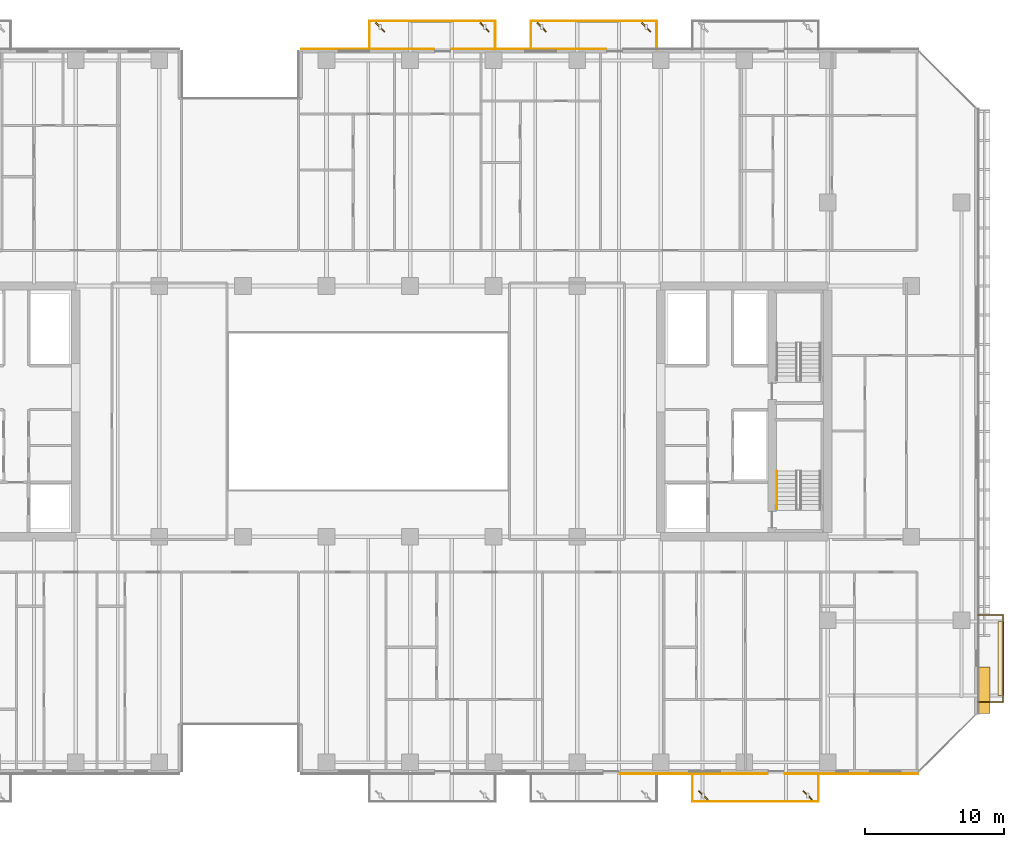
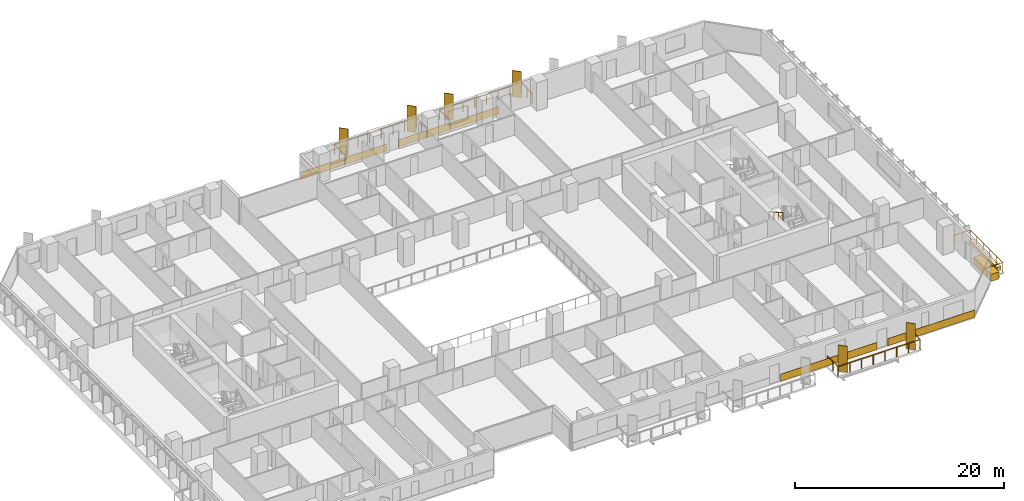
# One storey, part 30 of 33: 6 coverings, 6 shading devices, 5 railings.
"""IFC4 building model written with IfcOpenShell, lengths in metres."""

from ifc_helpers import new_model, si_unit, direction, frame, origin, origin_2d, place, context, subcontext, project, spatial, polyline, rectangle, outline, extrude, material, layer, layer_set, type_object, element, save


model = new_model("IFC4")

# Units and contexts
model_context = context("Model", 3, precision=1e-05, world=origin(), true_north=direction((0.0, 1.0)))
body_context = subcontext(model_context, "Body", "Model", "MODEL_VIEW")
ifc_project = project(units=[si_unit("LENGTHUNIT", "METRE"), si_unit("AREAUNIT", "SQUARE_METRE"), si_unit("VOLUMEUNIT", "CUBIC_METRE"), si_unit("PLANEANGLEUNIT", "RADIAN"), si_unit("MASSUNIT", "GRAM", prefix="KILO")], contexts=[model_context])

# Site, building, storey
site_placement = place(None, origin())
site = spatial("IfcSite", under=ifc_project, at=site_placement, CompositionType="ELEMENT")
building_placement = place(site_placement, origin())
building = spatial("IfcBuilding", under=site, at=building_placement, Name="Tanjung Sevakor Pilgrim Tower", CompositionType="ELEMENT")
storey_placement = place(building_placement, frame((0.0, 0.0, 35.639892578125)))
storey = spatial("IfcBuildingStorey", under=building, at=storey_placement, Name="L09", CompositionType="ELEMENT", Elevation=35.639892578125)

# Coverings
ifc_material_1 = material(Name="Reconstructed Limestone Cladding", Category="masonry")
ifc_layer_1 = layer(ifc_material_1, 0.044921875)
ifc_layer_set_1 = layer_set([ifc_layer_1], Name="COV-CLAD-LIMESTONE")
covering_type_1 = type_object("IfcCoveringType", Name="COV-CLAD-LIMESTONE", PredefinedType="CLADDING", material=ifc_layer_set_1)
covering_1_placement = place(storey_placement, frame((80.375, 7.577392578125, 0.01025390625), z_axis=(0.0, 0.0, 1.0), x_axis=(1.0, 0.0, 0.0)))
element("IfcCovering", 1, at=covering_1_placement, inside=storey, type_object=covering_type_1, Name="L09 Warm Limestone Sill Spandrel EW-L09-MAIN-5-3", PredefinedType="CLADDING", context=body_context, shape_type="SweptSolid", body=[
    extrude(rectangle(XDim=10.6298828125, YDim=0.044921875, at=origin_2d()), origin(), (0.0, 0.0, 1.0), 0.840087890625),
])
covering_2_placement = place(storey_placement, frame((91.7060546875, 7.577392578125, 0.01025390625), z_axis=(0.0, 0.0, 1.0), x_axis=(1.0, 0.0, 0.0)))
element("IfcCovering", 2, at=covering_2_placement, inside=storey, type_object=covering_type_1, Name="L09 Warm Limestone Sill Spandrel EW-L09-MAIN-5-4", PredefinedType="CLADDING", context=body_context, shape_type="SweptSolid", body=[
    extrude(rectangle(XDim=9.592041015625, YDim=0.044921875, at=origin_2d()), origin(), (0.0, 0.0, 1.0), 0.840087890625),
])
covering_3_placement = place(storey_placement, frame((101.22998046875, 13.569091796875, 0.01025390625), z_axis=(0.0, 0.0, 1.0), x_axis=(0.0, 1.0, 0.0)))
element("IfcCovering", 3, at=covering_3_placement, inside=storey, type_object=covering_type_1, Name="L09 Warm Limestone Sill Spandrel EW-L09-MAIN-7-1", PredefinedType="CLADDING", context=body_context, shape_type="SweptSolid", body=[
    extrude(rectangle(XDim=3.342041015625, YDim=0.860107421875, at=origin_2d()), origin(), (0.0, 0.0, 1.0), 0.840087890625),
])
covering_4_placement = place(storey_placement, frame((68.52490234375, 59.62255859375, 0.01025390625), z_axis=(0.0, 0.0, 1.0), x_axis=(-1.0, 0.0, 0.0)))
element("IfcCovering", 4, at=covering_4_placement, inside=storey, type_object=covering_type_1, Name="L09 Warm Limestone Sill Spandrel EW-L09-MAIN-9-3", PredefinedType="CLADDING", context=body_context, shape_type="SweptSolid", body=[
    extrude(rectangle(XDim=11.1298828125, YDim=0.044921875, at=origin_2d()), origin(), (0.0, 0.0, 1.0), 0.840087890625),
])
covering_5_placement = place(storey_placement, frame((56.9599609375, 59.62255859375, 0.01025390625), z_axis=(0.0, 0.0, 1.0), x_axis=(-1.0, 0.0, 0.0)))
element("IfcCovering", 5, at=covering_5_placement, inside=storey, type_object=covering_type_1, Name="L09 Warm Limestone Sill Spandrel EW-L09-MAIN-9-4", PredefinedType="CLADDING", context=body_context, shape_type="SweptSolid", body=[
    extrude(rectangle(XDim=9.56005859375, YDim=0.044921875, at=origin_2d()), origin(), (0.0, 0.0, 1.0), 0.840087890625),
])
ifc_material_2 = material(Name="Vegetated Modular Planter Assembly", Category="organic")
ifc_layer_2 = layer(ifc_material_2, 0.35009765625)
ifc_layer_set_2 = layer_set([ifc_layer_2], Name="COV-GRN-TROUGH")
covering_type_2 = type_object("IfcCoveringType", Name="COV-GRN-TROUGH", PredefinedType="CLADDING", material=ifc_layer_set_2)
covering_6_placement = place(storey_placement, origin())
element("IfcCovering", 6, at=covering_6_placement, inside=storey, type_object=covering_type_2, Name="L09 Planted Landscape Hedge Trough BGRN-L09-MAIN-E1", PredefinedType="CLADDING", context=body_context, shape_type="SweptSolid", body=[
    extrude(outline(polyline([(102.64990234375, 13.199951171875), (102.64990234375, 18.5), (102.2099609375, 18.5), (102.2099609375, 13.199951171875), (102.64990234375, 13.199951171875)])), origin(), (0.0, 0.0, 1.0), 0.35009765625),
])

# Railings
ifc_material_3 = material(Name="Laminated Glass and Aluminium", Category="aluminium")
railing_type_1 = type_object("IfcRailingType", Name="RL-BAL-BALUST", PredefinedType="BALUSTRADE", material=ifc_material_3)
railing_1_placement = place(storey_placement, frame((57.080078125, 59.60009765625, 0.0)))
element("IfcRailing", 7, at=railing_1_placement, inside=storey, type_object=railing_type_1, Name="L09 Loggia Balustrade MAIN-N2", PredefinedType="BALUSTRADE", context=body_context, shape_type="SweptSolid", body=[
    extrude(rectangle(XDim=0.0479, YDim=0.0479), frame((0.0, 0.0, 1.1259765625), z_axis=(0.0, 1.0, 0.0), x_axis=(-1.0, 0.0, 0.0)), (0.0, 0.0, 1.0), 2.02001953125),
    extrude(rectangle(XDim=0.0479, YDim=0.0479), frame((0.0, 2.02001953125, 1.1259765625), z_axis=(1.0, 0.0, 0.0), x_axis=(0.0, 1.0, 0.0)), (0.0, 0.0, 1.0), 9.0400390625),
    extrude(rectangle(XDim=0.0479, YDim=0.0479), frame((9.0400390625, 2.02001953125, 1.1259765625), z_axis=(0.0, -1.0, 0.0), x_axis=(1.0, 0.0, 0.0)), (0.0, 0.0, 1.0), 2.02001953125),
    extrude(rectangle(XDim=0.042, YDim=0.042), origin(), (0.0, 0.0, 1.0), 1.101806640625),
    extrude(rectangle(XDim=0.042, YDim=0.042), frame((0.0, 1.010009765625, 0.0)), (0.0, 0.0, 1.0), 1.101806640625),
    extrude(rectangle(XDim=0.042, YDim=0.042), frame((0.0, 2.02001953125, 0.0)), (0.0, 0.0, 1.0), 1.101806640625),
    extrude(rectangle(XDim=0.042, YDim=0.042), frame((1.29150390625, 2.02001953125, 0.0)), (0.0, 0.0, 1.0), 1.101806640625),
    extrude(rectangle(XDim=0.042, YDim=0.042), frame((2.582763671875, 2.02001953125, 0.0)), (0.0, 0.0, 1.0), 1.101806640625),
    extrude(rectangle(XDim=0.042, YDim=0.042), frame((3.874267578125, 2.02001953125, 0.0)), (0.0, 0.0, 1.0), 1.101806640625),
    extrude(rectangle(XDim=0.042, YDim=0.042), frame((5.165771484375, 2.02001953125, 0.0)), (0.0, 0.0, 1.0), 1.101806640625),
    extrude(rectangle(XDim=0.042, YDim=0.042), frame((6.457275390625, 2.02001953125, 0.0)), (0.0, 0.0, 1.0), 1.101806640625),
    extrude(rectangle(XDim=0.042, YDim=0.042), frame((7.74853515625, 2.02001953125, 0.0)), (0.0, 0.0, 1.0), 1.101806640625),
    extrude(rectangle(XDim=0.042, YDim=0.042), frame((9.0400390625, 2.02001953125, 0.0)), (0.0, 0.0, 1.0), 1.101806640625),
    extrude(rectangle(XDim=0.042, YDim=0.042), frame((9.0400390625, 1.010009765625, 0.0)), (0.0, 0.0, 1.0), 1.101806640625),
    extrude(rectangle(XDim=0.042, YDim=0.042), frame((9.0400390625, 0.0, 0.0)), (0.0, 0.0, 1.0), 1.101806640625),
])
railing_2_placement = place(storey_placement, frame((68.679931640625, 59.60009765625, 0.0)))
element("IfcRailing", 8, at=railing_2_placement, inside=storey, type_object=railing_type_1, Name="L09 Loggia Balustrade MAIN-N3", PredefinedType="BALUSTRADE", context=body_context, shape_type="SweptSolid", body=[
    extrude(rectangle(XDim=0.0479, YDim=0.0479), frame((0.0, 0.0, 1.1259765625), z_axis=(0.0, 1.0, 0.0), x_axis=(-1.0, 0.0, 0.0)), (0.0, 0.0, 1.0), 2.02001953125),
    extrude(rectangle(XDim=0.0479, YDim=0.0479), frame((0.0, 2.02001953125, 1.1259765625), z_axis=(1.0, 0.0, 0.0), x_axis=(0.0, 1.0, 0.0)), (0.0, 0.0, 1.0), 9.0400390625),
    extrude(rectangle(XDim=0.0479, YDim=0.0479), frame((9.0400390625, 2.02001953125, 1.1259765625), z_axis=(0.0, -1.0, 0.0), x_axis=(1.0, 0.0, 0.0)), (0.0, 0.0, 1.0), 2.02001953125),
    extrude(rectangle(XDim=0.042, YDim=0.042), origin(), (0.0, 0.0, 1.0), 1.101806640625),
    extrude(rectangle(XDim=0.042, YDim=0.042), frame((0.0, 1.010009765625, 0.0)), (0.0, 0.0, 1.0), 1.101806640625),
    extrude(rectangle(XDim=0.042, YDim=0.042), frame((0.0, 2.02001953125, 0.0)), (0.0, 0.0, 1.0), 1.101806640625),
    extrude(rectangle(XDim=0.042, YDim=0.042), frame((1.29150390625, 2.02001953125, 0.0)), (0.0, 0.0, 1.0), 1.101806640625),
    extrude(rectangle(XDim=0.042, YDim=0.042), frame((2.582763671875, 2.02001953125, 0.0)), (0.0, 0.0, 1.0), 1.101806640625),
    extrude(rectangle(XDim=0.042, YDim=0.042), frame((3.874267578125, 2.02001953125, 0.0)), (0.0, 0.0, 1.0), 1.101806640625),
    extrude(rectangle(XDim=0.042, YDim=0.042), frame((5.165771484375, 2.02001953125, 0.0)), (0.0, 0.0, 1.0), 1.101806640625),
    extrude(rectangle(XDim=0.042, YDim=0.042), frame((6.457275390625, 2.02001953125, 0.0)), (0.0, 0.0, 1.0), 1.101806640625),
    extrude(rectangle(XDim=0.042, YDim=0.042), frame((7.74853515625, 2.02001953125, 0.0)), (0.0, 0.0, 1.0), 1.101806640625),
    extrude(rectangle(XDim=0.042, YDim=0.042), frame((9.0400390625, 2.02001953125, 0.0)), (0.0, 0.0, 1.0), 1.101806640625),
    extrude(rectangle(XDim=0.042, YDim=0.042), frame((9.0400390625, 1.010009765625, 0.0)), (0.0, 0.0, 1.0), 1.101806640625),
    extrude(rectangle(XDim=0.042, YDim=0.042), frame((9.0400390625, 0.0, 0.0)), (0.0, 0.0, 1.0), 1.101806640625),
])
railing_3_placement = place(storey_placement, frame((80.280029296875, 7.60009765625, 0.0)))
element("IfcRailing", 9, at=railing_3_placement, inside=storey, type_object=railing_type_1, Name="L09 Loggia Balustrade MAIN-S4", PredefinedType="BALUSTRADE", context=body_context, shape_type="SweptSolid", body=[
    extrude(rectangle(XDim=0.0479, YDim=0.0479), frame((0.0, 0.0, 1.1259765625), z_axis=(0.0, -1.0, 0.0), x_axis=(1.0, 0.0, 0.0)), (0.0, 0.0, 1.0), 2.02001953125),
    extrude(rectangle(XDim=0.0479, YDim=0.0479), frame((0.0, -2.02001953125, 1.1259765625), z_axis=(1.0, 0.0, 0.0), x_axis=(0.0, 1.0, 0.0)), (0.0, 0.0, 1.0), 9.0400390625),
    extrude(rectangle(XDim=0.0479, YDim=0.0479), frame((9.0400390625, -2.02001953125, 1.1259765625), z_axis=(0.0, 1.0, 0.0), x_axis=(-1.0, 0.0, 0.0)), (0.0, 0.0, 1.0), 2.02001953125),
    extrude(rectangle(XDim=0.042, YDim=0.042), origin(), (0.0, 0.0, 1.0), 1.101806640625),
    extrude(rectangle(XDim=0.042, YDim=0.042), frame((0.0, -1.010009765625, 0.0)), (0.0, 0.0, 1.0), 1.101806640625),
    extrude(rectangle(XDim=0.042, YDim=0.042), frame((0.0, -2.02001953125, 0.0)), (0.0, 0.0, 1.0), 1.101806640625),
    extrude(rectangle(XDim=0.042, YDim=0.042), frame((1.29150390625, -2.02001953125, 0.0)), (0.0, 0.0, 1.0), 1.101806640625),
    extrude(rectangle(XDim=0.042, YDim=0.042), frame((2.582763671875, -2.02001953125, 0.0)), (0.0, 0.0, 1.0), 1.101806640625),
    extrude(rectangle(XDim=0.042, YDim=0.042), frame((3.874267578125, -2.02001953125, 0.0)), (0.0, 0.0, 1.0), 1.101806640625),
    extrude(rectangle(XDim=0.042, YDim=0.042), frame((5.165771484375, -2.02001953125, 0.0)), (0.0, 0.0, 1.0), 1.101806640625),
    extrude(rectangle(XDim=0.042, YDim=0.042), frame((6.457275390625, -2.02001953125, 0.0)), (0.0, 0.0, 1.0), 1.101806640625),
    extrude(rectangle(XDim=0.042, YDim=0.042), frame((7.74853515625, -2.02001953125, 0.0)), (0.0, 0.0, 1.0), 1.101806640625),
    extrude(rectangle(XDim=0.042, YDim=0.042), frame((9.0400390625, -2.02001953125, 0.0)), (0.0, 0.0, 1.0), 1.101806640625),
    extrude(rectangle(XDim=0.042, YDim=0.042), frame((9.0400390625, -1.010009765625, 0.0)), (0.0, 0.0, 1.0), 1.101806640625),
    extrude(rectangle(XDim=0.042, YDim=0.042), frame((9.0400390625, 0.0, 0.0)), (0.0, 0.0, 1.0), 1.101806640625),
])
railing_4_placement = place(storey_placement, frame((100.800048828125, 12.72998046875, 0.0)))
element("IfcRailing", 10, at=railing_4_placement, inside=storey, type_object=railing_type_1, Name="L09 Loggia Balustrade MAIN-E1", PredefinedType="BALUSTRADE", context=body_context, shape_type="SweptSolid", body=[
    extrude(rectangle(XDim=0.0479, YDim=0.0479), frame((0.0, 0.0, 1.1259765625), z_axis=(1.0, 0.0, 0.0), x_axis=(0.0, 1.0, 0.0)), (0.0, 0.0, 1.0), 1.77001953125),
    extrude(rectangle(XDim=0.0479, YDim=0.0479), frame((1.77001953125, 0.0, 1.1259765625), z_axis=(0.0, 1.0, 0.0), x_axis=(-1.0, 0.0, 0.0)), (0.0, 0.0, 1.0), 6.239990234375),
    extrude(rectangle(XDim=0.0479, YDim=0.0479), frame((1.77001953125, 6.239990234375, 1.1259765625), z_axis=(-1.0, 0.0, 0.0), x_axis=(0.0, -1.0, 0.0)), (0.0, 0.0, 1.0), 1.77001953125),
    extrude(rectangle(XDim=0.042, YDim=0.042), origin(), (0.0, 0.0, 1.0), 1.101806640625),
    extrude(rectangle(XDim=0.042, YDim=0.042), frame((0.885009765625, 0.0, 0.0)), (0.0, 0.0, 1.0), 1.101806640625),
    extrude(rectangle(XDim=0.042, YDim=0.042), frame((1.77001953125, 0.0, 0.0)), (0.0, 0.0, 1.0), 1.101806640625),
    extrude(rectangle(XDim=0.042, YDim=0.042), frame((1.77001953125, 1.248046875, 0.0)), (0.0, 0.0, 1.0), 1.101806640625),
    extrude(rectangle(XDim=0.042, YDim=0.042), frame((1.77001953125, 2.49609375, 0.0)), (0.0, 0.0, 1.0), 1.101806640625),
    extrude(rectangle(XDim=0.042, YDim=0.042), frame((1.77001953125, 3.743896484375, 0.0)), (0.0, 0.0, 1.0), 1.101806640625),
    extrude(rectangle(XDim=0.042, YDim=0.042), frame((1.77001953125, 4.991943359375, 0.0)), (0.0, 0.0, 1.0), 1.101806640625),
    extrude(rectangle(XDim=0.042, YDim=0.042), frame((1.77001953125, 6.239990234375, 0.0)), (0.0, 0.0, 1.0), 1.101806640625),
    extrude(rectangle(XDim=0.042, YDim=0.042), frame((0.885009765625, 6.239990234375, 0.0)), (0.0, 0.0, 1.0), 1.101806640625),
    extrude(rectangle(XDim=0.042, YDim=0.042), frame((0.0, 6.239990234375, 0.0)), (0.0, 0.0, 1.0), 1.101806640625),
])
ifc_material_4 = material(Name="Steel S355J2", Category="steel")
railing_type_2 = type_object("IfcRailingType", Name="RL-STAIR-HAND", PredefinedType="HANDRAIL", material=ifc_material_4)
railing_5_placement = place(storey_placement, frame((86.35009765625, 29.300048828125, 1.815185546875)))
element("IfcRailing", 11, at=railing_5_placement, inside=storey, type_object=railing_type_2, Name="L09 TS-E1 stair handrail 2", PredefinedType="HANDRAIL", context=body_context, shape_type="SweptSolid", body=[
    extrude(rectangle(XDim=0.0479, YDim=0.0479), frame((0.0, 0.0, 0.8759765625), z_axis=(0.0, -0.876230963923, 0.481891375584), x_axis=(1.0, 0.0, 0.0)), (0.0, 0.0, 1.0), 3.081298828125),
    extrude(rectangle(XDim=0.042, YDim=0.042), origin(), (0.0, 0.0, 1.0), 0.851806640625),
    extrude(rectangle(XDim=0.042, YDim=0.042), frame((0.0, -0.89990234375, 0.494873046875)), (0.0, 0.0, 1.0), 0.851806640625),
    extrude(rectangle(XDim=0.042, YDim=0.042), frame((0.0, -1.800048828125, 0.989990234375)), (0.0, 0.0, 1.0), 0.851806640625),
    extrude(rectangle(XDim=0.042, YDim=0.042), frame((0.0, -2.699951171875, 1.48486328125)), (0.0, 0.0, 1.0), 0.851806640625),
])

# Shading devices
ifc_material_5 = material(Name="Anodised Bronze Aluminium 6063-T6", Category="aluminium")
shading_device_type = type_object("IfcShadingDeviceType", Name="SHD-FIN-900A", PredefinedType="USERDEFINED", material=ifc_material_5)
for number, where, z_axis, x_axis, name in (
    (12, (57.85009765625, 61.179931640625, 0.0), (0.0, 0.0, 1.0), (0.707106781187, 0.707106781187, 0.0), "L09 Anodised Bronze Solar Fin 0007"),
    (13, (65.35009765625, 61.179931640625, 0.0), (0.0, 0.0, 1.0), (0.707106781187, 0.707106781187, 0.0), "L09 Anodised Bronze Solar Fin 0008"),
    (14, (69.449951171875, 61.179931640625, 0.0), (0.0, 0.0, 1.0), (0.707106781187, 0.707106781187, 0.0), "L09 Anodised Bronze Solar Fin 0011"),
    (15, (76.949951171875, 61.179931640625, 0.0), (0.0, 0.0, 1.0), (0.707106781187, 0.707106781187, 0.0), "L09 Anodised Bronze Solar Fin 0012"),
    (16, (81.050048828125, 6.02001953125, 0.0), (0.0, 0.0, 1.0), (0.707106781187, 0.707106781187, 0.0), "L09 Anodised Bronze Solar Fin 0013"),
    (17, (88.550048828125, 6.02001953125, 0.0), (0.0, 0.0, 1.0), (0.707106781187, 0.707106781187, 0.0), "L09 Anodised Bronze Solar Fin 0014"),
):
    element("IfcShadingDevice", number, at=place(storey_placement, frame(where, z_axis=z_axis, x_axis=x_axis)), inside=storey, type_object=shading_device_type, Name=name, ObjectType="FIN", PredefinedType="USERDEFINED", context=body_context, shape_type="SweptSolid", body=[
        extrude(rectangle(XDim=0.080078125, YDim=0.89990234375, at=origin_2d()), origin(), (0.0, 0.0, 1.0), 3.0400390625),
    ])

save(model, "model.ifc")
